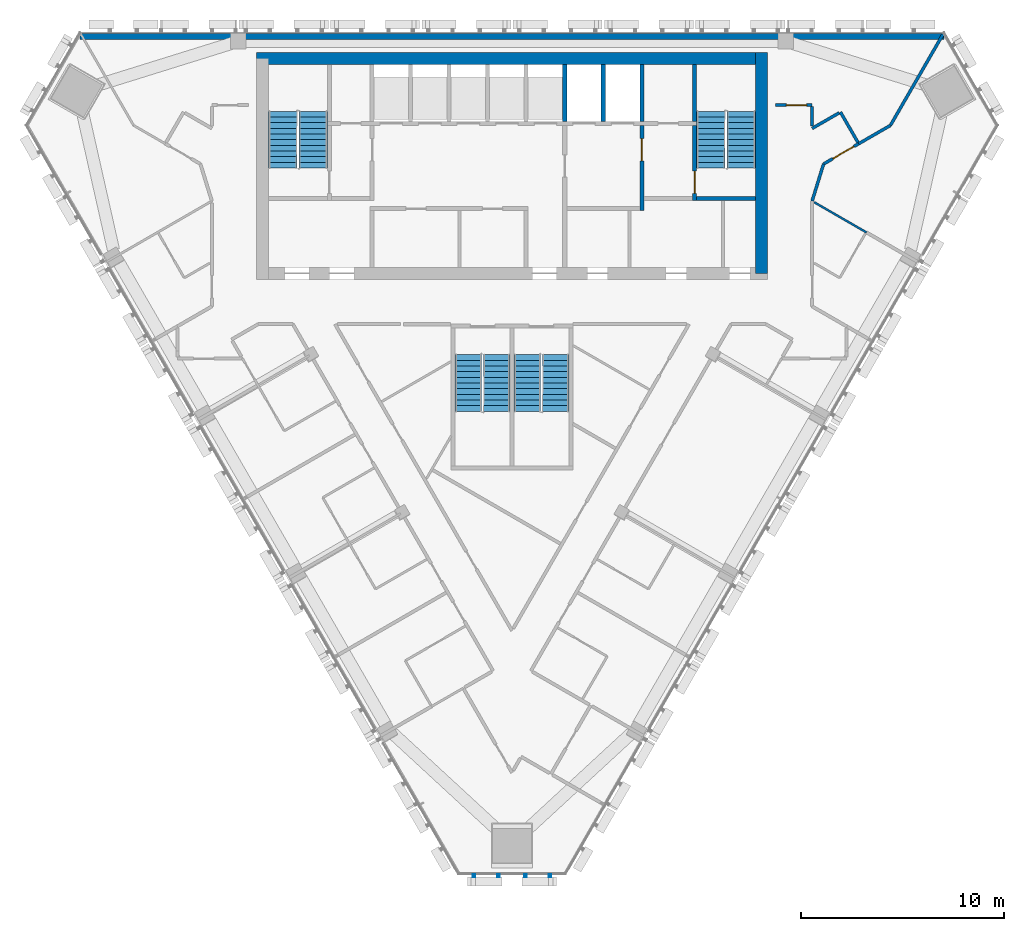
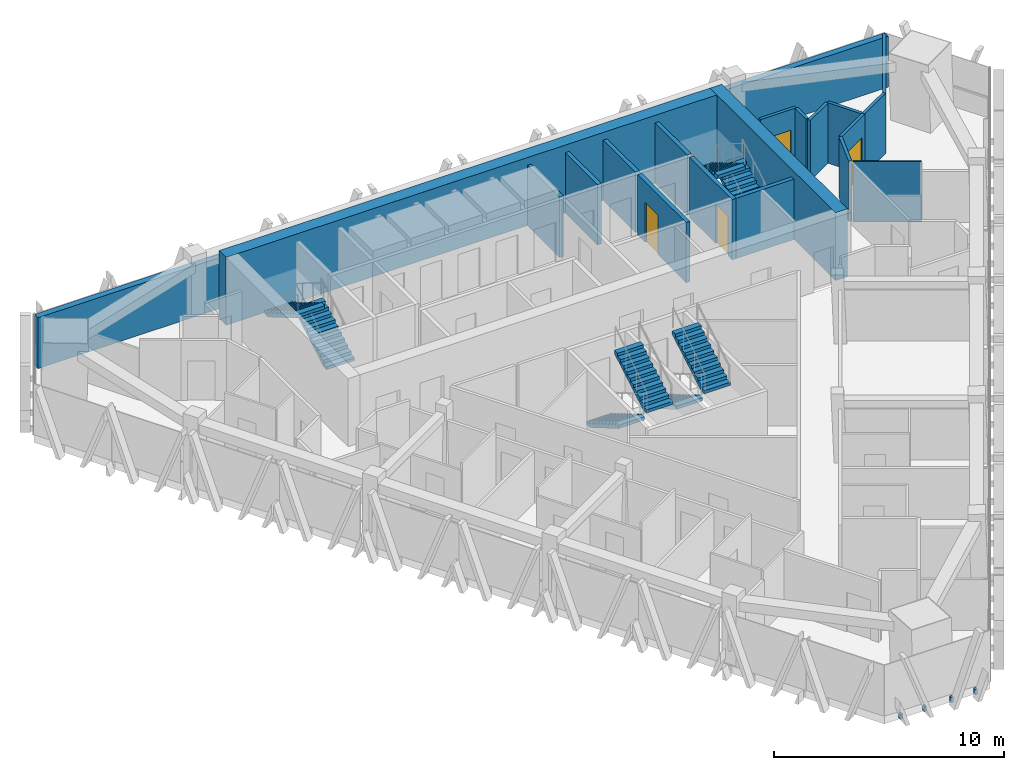
# One storey, part 11 of 15: 19 walls, 8 stair flights, 4 doors, 1 discrete accessory, 4 openings, 4 elements without a shape of their own.
"""IFC4 building model written with IfcOpenShell, lengths in metres."""

from ifc_helpers import new_model, si_unit, direction, frame, frame_2d, origin, place, context, subcontext, project, spatial, polyline, rectangle, outline, extrude, source, transform, mapped, material, layer, layer_set, type_object, element, fill, aggregate, save


model = new_model("IFC4")

# Units and contexts
model_context = context("Model", 3, precision=1e-05, world=origin(), true_north=direction((0.0, 1.0)))
body_context = subcontext(model_context, "Body", "Model", "MODEL_VIEW")
ifc_project = project(units=[si_unit("LENGTHUNIT", "METRE"), si_unit("AREAUNIT", "SQUARE_METRE"), si_unit("VOLUMEUNIT", "CUBIC_METRE"), si_unit("PLANEANGLEUNIT", "RADIAN"), si_unit("MASSUNIT", "GRAM", prefix="KILO")], contexts=[model_context])

# Site, building, storey
site_placement = place(None, origin())
site = spatial("IfcSite", under=ifc_project, at=site_placement, CompositionType="ELEMENT")
building_placement = place(site_placement, origin())
building = spatial("IfcBuilding", under=site, at=building_placement, Name="Altiplano Prism Tower", CompositionType="ELEMENT")
storey_placement = place(building_placement, frame((0.0, 0.0, 246.39990234375)))
storey = spatial("IfcBuildingStorey", under=building, at=storey_placement, Name="L63", CompositionType="ELEMENT", Elevation=246.39990234375)

# Walls
ifc_material_1 = material(Name="Concrete C60/75", Category="concrete")
ifc_layer_1 = layer(ifc_material_1, 0.60009765625)
ifc_layer_set_1 = layer_set([ifc_layer_1], Name="Concrete C60/75")
wall_type_1 = type_object("IfcWallType", Name="Core wall 600", PredefinedType="SHEAR", material=ifc_layer_set_1)
wall_1_placement = place(storey_placement, frame((97.300048828125, 93.10009765625, 0.0), z_axis=(0.0, 0.0, 1.0), x_axis=(0.0, 1.0, 0.0)))
element("IfcWall", 1, at=wall_1_placement, inside=storey, type_object=wall_type_1, Name="Core wall E L63", PredefinedType="SHEAR", context=body_context, shape_type="SweptSolid", body=[
    extrude(rectangle(XDim=10.89990234375, YDim=0.60009765625, at=frame_2d((5.449951171875, 0.0))), origin(), (0.0, 0.0, 1.0), 3.60009765625),
])
wall_2_placement = place(storey_placement, frame((97.300048828125, 103.699951171875, 0.0), z_axis=(0.0, 0.0, 1.0), x_axis=(-1.0, 0.0, 0.0)))
element("IfcWall", 2, at=wall_2_placement, inside=storey, type_object=wall_type_1, Name="Core wall N L63", PredefinedType="SHEAR", context=body_context, shape_type="SweptSolid", body=[
    extrude(rectangle(XDim=24.900146484375, YDim=0.60009765625, at=frame_2d((12.4501953125, 0.0))), origin(), (0.0, 0.0, 1.0), 3.60009765625),
])
ifc_material_2 = material(Name="Plasterboard on steel stud", Category="steel")
ifc_layer_2 = layer(ifc_material_2, 0.10009765625)
ifc_layer_set_2 = layer_set([ifc_layer_2], Name="Plasterboard on steel stud")
wall_type_2 = type_object("IfcWallType", Name="Partition 100 wet", PredefinedType="PARTITIONING", material=ifc_layer_set_2)
wall_3_placement = place(storey_placement, frame((102.48095703125, 95.125, 0.0), z_axis=(0.0, 0.0, 1.0), x_axis=(-0.866051901885, 0.499954101135, 0.0)))
element("IfcWall", 3, at=wall_3_placement, inside=storey, type_object=wall_type_2, Name="Partition P03 L63 081", PredefinedType="PARTITIONING", context=body_context, shape_type="SweptSolid", body=[
    extrude(rectangle(XDim=2.980224609375, YDim=0.10009765625, at=frame_2d((1.490234375, 0.0))), origin(), (0.0, 0.0, 1.0), 3.2001953125),
])
ifc_layer_3 = layer(ifc_material_2, 0.14990234375)
ifc_layer_set_3 = layer_set([ifc_layer_3], Name="Plasterboard on steel stud")
wall_type_3 = type_object("IfcWallType", Name="Partition 150 corridor", PredefinedType="PARTITIONING", material=ifc_layer_set_3)
wall_4_placement = place(storey_placement, frame((99.800048828125, 96.6728515625, 0.0), z_axis=(0.0, 0.0, 1.0), x_axis=(0.29539525105, 0.955375133472, 0.0)))
element("IfcWall", 4, at=wall_4_placement, inside=storey, type_object=wall_type_3, Name="Partition P06 L63 032", PredefinedType="PARTITIONING", context=body_context, shape_type="SweptSolid", body=[
    extrude(rectangle(XDim=1.91259765625, YDim=0.14990234375, at=frame_2d((0.956298828125, 0.0))), origin(), (0.0, 0.0, 1.0), 3.2001953125),
])

# Wall, opening, door
wall_5_placement = place(storey_placement, frame((100.364990234375, 98.5, 0.0), z_axis=(0.0, 0.0, 1.0), x_axis=(0.866010470582, 0.500025864173, 0.0)))
wall_5 = element("IfcWall", 5, at=wall_5_placement, inside=storey, type_object=wall_type_3, Name="Partition P06 L63 033", PredefinedType="PARTITIONING", context=body_context, shape_type="SweptSolid", body=[
    extrude(rectangle(XDim=2.02001953125, YDim=0.14990234375, at=frame_2d((1.010009765625, 0.0))), origin(), (0.0, 0.0, 1.0), 3.2001953125),
])
opening_1_placement = place(wall_5_placement, frame((0.528076171875, 0.0, 0.0)))
opening_1 = element("IfcOpeningElement", 6, at=opening_1_placement, cuts=wall_5, Name="Opening D2075", PredefinedType="OPENING", context=body_context, shape_type="SweptSolid", body=[
    extrude(rectangle(XDim=1.199951171875, YDim=2.10009765625, at=frame_2d((0.60009765625, 1.050048828125))), frame((0.0, 0.08544921875, 0.0), z_axis=(0.0, -1.0, 0.0), x_axis=(1.0, 0.0, 0.0)), (0.0, 0.0, 1.0), 0.1708984375),
])
ifc_material_3 = material(Name="Timber", Category="wood")
door_type_1 = type_object("IfcDoorType", Name="Shared room door 1200 x 2100", OperationType="NOTDEFINED", PredefinedType="NOTDEFINED", material=ifc_material_3)
door_1_placement = place(opening_1_placement, origin())
door_1 = element("IfcDoor", 7, at=door_1_placement, inside=storey, type_object=door_type_1, Name="Door D2075", OperationType="SINGLE_SWING_LEFT", OverallHeight=2.10009765625, OverallWidth=1.199951171875, PredefinedType="NOTDEFINED", context=body_context, shape_type="SweptSolid", body=[
    extrude(rectangle(XDim=1.199951171875, YDim=2.10009765625, at=frame_2d((0.60009765625, 1.050048828125))), frame((0.0, 0.02490234375, 0.0), z_axis=(0.0, -1.0, 0.0), x_axis=(1.0, 0.0, 0.0)), (0.0, 0.0, 1.0), 0.050048828125),
])
fill(opening_1, door_1)

# Walls
wall_6_placement = place(storey_placement, frame((102.059326171875, 99.56494140625, 0.0), z_axis=(0.0, 0.0, 1.0), x_axis=(-0.499914405916, 0.866074815912, 0.0)))
element("IfcWall", 8, at=wall_6_placement, inside=storey, type_object=wall_type_3, Name="Partition P06 L63 038", PredefinedType="PARTITIONING", context=body_context, shape_type="SweptSolid", body=[
    extrude(rectangle(XDim=1.724853515625, YDim=0.14990234375, at=frame_2d((0.8623046875, 0.0))), origin(), (0.0, 0.0, 1.0), 3.2001953125),
])
wall_7_placement = place(storey_placement, frame((101.132080078125, 101.021240234375, 0.0), z_axis=(0.0, 0.0, 1.0), x_axis=(-0.866026989333, -0.499997253739, 0.0)))
element("IfcWall", 9, at=wall_7_placement, inside=storey, type_object=wall_type_3, Name="Partition P06 L63 039", PredefinedType="PARTITIONING", context=body_context, shape_type="SweptSolid", body=[
    extrude(rectangle(XDim=1.5380859375, YDim=0.14990234375, at=frame_2d((0.76904296875, 0.0))), origin(), (0.0, 0.0, 1.0), 3.2001953125),
])
wall_8_placement = place(storey_placement, frame((99.800048828125, 100.38232421875, 0.0), z_axis=(0.0, 0.0, 1.0), x_axis=(0.0, 1.0, 0.0)))
element("IfcWall", 10, at=wall_8_placement, inside=storey, type_object=wall_type_3, Name="Partition P06 L63 040", PredefinedType="PARTITIONING", context=body_context, shape_type="SweptSolid", body=[
    extrude(rectangle(XDim=0.942626953125, YDim=0.14990234375, at=frame_2d((0.47119140625, 0.0))), origin(), (0.0, 0.0, 1.0), 3.2001953125),
])

# Wall, opening, door
wall_9_placement = place(storey_placement, frame((99.800048828125, 101.39990234375, 0.0), z_axis=(0.0, 0.0, 1.0), x_axis=(-1.0, 0.0, 0.0)))
wall_9 = element("IfcWall", 11, at=wall_9_placement, inside=storey, type_object=wall_type_3, Name="Partition P06 L63 041", PredefinedType="PARTITIONING", context=body_context, shape_type="SweptSolid", body=[
    extrude(rectangle(XDim=1.800048828125, YDim=0.14990234375, at=frame_2d((0.89990234375, 0.0))), origin(), (0.0, 0.0, 1.0), 3.2001953125),
])
opening_2_placement = place(wall_9_placement, frame((0.27490234375, 0.0, 0.0)))
opening_2 = element("IfcOpeningElement", 12, at=opening_2_placement, cuts=wall_9, Name="Opening D2077", PredefinedType="OPENING", context=body_context, shape_type="SweptSolid", body=[
    extrude(rectangle(XDim=1.0, YDim=2.10009765625, at=frame_2d((0.5, 1.050048828125))), frame((0.0, 0.08544921875, 0.0), z_axis=(0.0, -1.0, 0.0), x_axis=(1.0, 0.0, 0.0)), (0.0, 0.0, 1.0), 0.1708984375),
])
door_type_2 = type_object("IfcDoorType", Name="Room door 1000 x 2100", OperationType="NOTDEFINED", PredefinedType="NOTDEFINED", material=ifc_material_3)
door_2_placement = place(opening_2_placement, origin())
door_2 = element("IfcDoor", 13, at=door_2_placement, inside=storey, type_object=door_type_2, Name="Door D2077", OperationType="SINGLE_SWING_LEFT", OverallHeight=2.10009765625, OverallWidth=1.0, PredefinedType="NOTDEFINED", context=body_context, shape_type="SweptSolid", body=[
    extrude(rectangle(XDim=1.0, YDim=2.10009765625, at=frame_2d((0.5, 1.050048828125))), frame((0.0, 0.02490234375, 0.0), z_axis=(0.0, -1.0, 0.0), x_axis=(1.0, 0.0, 0.0)), (0.0, 0.0, 1.0), 0.050048828125),
])
fill(opening_2, door_2)

# Walls
ifc_layer_4 = layer(ifc_material_2, 0.14990234375)
ifc_layer_set_4 = layer_set([ifc_layer_4], Name="Plasterboard on steel stud")
wall_type_4 = type_object("IfcWallType", Name="Partition 150 party", PredefinedType="PARTITIONING", material=ifc_layer_set_4)
wall_10_placement = place(storey_placement, frame((106.25634765625, 104.89990234375, 0.0), z_axis=(0.0, 0.0, 1.0), x_axis=(-0.499981525251, -0.866036069923, 0.0)))
element("IfcWall", 14, at=wall_10_placement, inside=storey, type_object=wall_type_4, Name="Partition P01 L63 082", PredefinedType="PARTITIONING", context=body_context, shape_type="SweptSolid", body=[
    extrude(rectangle(XDim=5.193603515625, YDim=0.14990234375, at=frame_2d((2.5966796875, 0.0))), origin(), (0.0, 0.0, 1.0), 2.7001953125),
])
wall_11_placement = place(storey_placement, frame((103.65966796875, 100.402099609375, 0.0), z_axis=(0.0, 0.0, 1.0), x_axis=(-0.866061671171, -0.499937177781, 0.0)))
element("IfcWall", 15, at=wall_11_placement, inside=storey, type_object=wall_type_4, Name="Partition P01 L63 083", PredefinedType="PARTITIONING", context=body_context, shape_type="SweptSolid", body=[
    extrude(rectangle(XDim=1.804443359375, YDim=0.14990234375, at=frame_2d((0.90234375, 0.0))), origin(), (0.0, 0.0, 1.0), 3.2001953125),
])
ifc_layer_5 = layer(ifc_material_1, 0.199951171875)
ifc_layer_set_5 = layer_set([ifc_layer_5], Name="Concrete C60/75")
wall_type_5 = type_object("IfcWallType", Name="Shaft wall 200", PredefinedType="SOLIDWALL", material=ifc_layer_set_5)
for number, where, z_axis, x_axis, name in (
    (16, (87.60009765625, 100.60009765625, 0.0), (0.0, 0.0, 1.0), (0.0, 1.0, 0.0), "Shaft wall L63"),
    (17, (89.5, 100.60009765625, 0.0), (0.0, 0.0, 1.0), (0.0, 1.0, 0.0), "Shaft wall L63"),
    (18, (91.39990234375, 100.60009765625, 0.0), (0.0, 0.0, 1.0), (0.0, 1.0, 0.0), "Shaft wall L63"),
):
    element("IfcWall", number, at=place(storey_placement, frame(where, z_axis=z_axis, x_axis=x_axis)), inside=storey, type_object=wall_type_5, Name=name, PredefinedType="SOLIDWALL", context=body_context, shape_type="SweptSolid", body=[
        extrude(rectangle(XDim=2.7998046875, YDim=0.199951171875, at=frame_2d((1.39990234375, 0.0))), origin(), (0.0, 0.0, 1.0), 3.2001953125),
    ])

# Wall, opening, door
ifc_layer_6 = layer(ifc_material_1, 0.199951171875)
ifc_layer_set_6 = layer_set([ifc_layer_6], Name="Concrete C60/75")
wall_type_6 = type_object("IfcWallType", Name="Stair wall 200", PredefinedType="SOLIDWALL", material=ifc_layer_set_6)
wall_12_placement = place(storey_placement, frame((94.0, 96.699951171875, 0.0), z_axis=(0.0, 0.0, 1.0), x_axis=(0.0, 1.0, 0.0)))
wall_12 = element("IfcWall", 19, at=wall_12_placement, inside=storey, type_object=wall_type_6, Name="Stair wall L63", PredefinedType="SOLIDWALL", context=body_context, shape_type="SweptSolid", body=[
    extrude(rectangle(XDim=3.699951171875, YDim=0.199951171875, at=frame_2d((1.85009765625, 0.0))), origin(), (0.0, 0.0, 1.0), 3.2001953125),
])
opening_3_placement = place(wall_12_placement, frame((0.35009765625, 0.0, 0.0)))
opening_3 = element("IfcOpeningElement", 20, at=opening_3_placement, cuts=wall_12, Name="Opening D3458", PredefinedType="OPENING", context=body_context, shape_type="SweptSolid", body=[
    extrude(rectangle(XDim=1.10009765625, YDim=2.10009765625, at=frame_2d((0.550048828125, 1.050048828125))), frame((0.0, 0.1103515625, 0.0), z_axis=(0.0, -1.0, 0.0), x_axis=(1.0, 0.0, 0.0)), (0.0, 0.0, 1.0), 0.220947265625),
])
ifc_material_4 = material(Name="Fire-rated steel door", Category="steel")
door_type_3 = type_object("IfcDoorType", Name="Stair fire door 1100 x 2100", OperationType="NOTDEFINED", PredefinedType="NOTDEFINED", material=ifc_material_4)
door_3_placement = place(opening_3_placement, origin())
door_3 = element("IfcDoor", 21, at=door_3_placement, inside=storey, type_object=door_type_3, Name="Stair fire door D3458", OperationType="SINGLE_SWING_LEFT", OverallHeight=2.10009765625, OverallWidth=1.10009765625, PredefinedType="NOTDEFINED", context=body_context, shape_type="SweptSolid", body=[
    extrude(rectangle(XDim=1.10009765625, YDim=2.10009765625, at=frame_2d((0.550048828125, 1.050048828125))), frame((0.0, 0.02490234375, 0.0), z_axis=(0.0, -1.0, 0.0), x_axis=(1.0, 0.0, 0.0)), (0.0, 0.0, 1.0), 0.050048828125),
])
fill(opening_3, door_3)

# Walls
wall_13_placement = place(storey_placement, frame((94.10009765625, 96.800048828125, 0.0), z_axis=(0.0, 0.0, 1.0), x_axis=(1.0, 0.0, 0.0)))
element("IfcWall", 22, at=wall_13_placement, inside=storey, type_object=wall_type_6, Name="Stair wall L63", PredefinedType="SOLIDWALL", context=body_context, shape_type="SweptSolid", body=[
    extrude(rectangle(XDim=2.89990234375, YDim=0.199951171875, at=frame_2d((1.449951171875, 0.0))), origin(), (0.0, 0.0, 1.0), 3.2001953125),
])
wall_14_placement = place(storey_placement, frame((94.0, 100.60009765625, 0.0), z_axis=(0.0, 0.0, 1.0), x_axis=(0.0, 1.0, 0.0)))
element("IfcWall", 23, at=wall_14_placement, inside=storey, type_object=wall_type_6, Name="Stair wall L63", PredefinedType="SOLIDWALL", context=body_context, shape_type="SweptSolid", body=[
    extrude(rectangle(XDim=2.7998046875, YDim=0.199951171875, at=frame_2d((1.39990234375, 0.0))), origin(), (0.0, 0.0, 1.0), 3.2001953125),
])
ifc_material_5 = material(Name="Concrete C40", Category="concrete")
ifc_layer_7 = layer(ifc_material_5, 0.300048828125)
ifc_layer_set_7 = layer_set([ifc_layer_7], Name="Concrete C40")
wall_type_7 = type_object("IfcWallType", Name="Stone-clad external wall 300", PredefinedType="SOLIDWALL", material=ifc_layer_set_7)
wall_15_placement = place(storey_placement, frame((63.685791015625, 104.7900390625, 0.0), z_axis=(0.0, 0.0, 1.0), x_axis=(1.0, 0.0, 0.0)))
element("IfcWall", 24, at=wall_15_placement, inside=storey, type_object=wall_type_7, Name="External wall north face L63", PredefinedType="SOLIDWALL", context=body_context, shape_type="SweptSolid", body=[
    extrude(rectangle(XDim=42.62841796875, YDim=0.300048828125, at=frame_2d((21.314208984375, 0.0))), origin(), (0.0, 0.0, 1.0), 2.7001953125),
])

# Wall, opening, door
ifc_layer_8 = layer(ifc_material_1, 0.199951171875)
ifc_layer_set_8 = layer_set([ifc_layer_8], Name="Concrete C60/75")
wall_type_8 = type_object("IfcWallType", Name="Vestibule wall 200", PredefinedType="PARTITIONING", material=ifc_layer_set_8)
wall_16_placement = place(storey_placement, frame((91.39990234375, 96.199951171875, 0.0), z_axis=(0.0, 0.0, 1.0), x_axis=(0.0, 1.0, 0.0)))
wall_16 = element("IfcWall", 25, at=wall_16_placement, inside=storey, type_object=wall_type_8, Name="Vestibule wall L63", PredefinedType="PARTITIONING", context=body_context, shape_type="SweptSolid", body=[
    extrude(rectangle(XDim=4.199951171875, YDim=0.199951171875, at=frame_2d((2.10009765625, 0.0))), origin(), (0.0, 0.0, 1.0), 3.2001953125),
])
opening_4_placement = place(wall_16_placement, frame((2.449951171875, 0.0, 0.0)))
opening_4 = element("IfcOpeningElement", 26, at=opening_4_placement, cuts=wall_16, Name="Opening D3461", PredefinedType="OPENING", context=body_context, shape_type="SweptSolid", body=[
    extrude(rectangle(XDim=1.10009765625, YDim=2.10009765625, at=frame_2d((0.550048828125, 1.050048828125))), frame((0.0, 0.1103515625, 0.0), z_axis=(0.0, -1.0, 0.0), x_axis=(1.0, 0.0, 0.0)), (0.0, 0.0, 1.0), 0.220947265625),
])
door_type_4 = type_object("IfcDoorType", Name="Vestibule fire door 1100 x 2100", OperationType="NOTDEFINED", PredefinedType="NOTDEFINED", material=ifc_material_4)
door_4_placement = place(opening_4_placement, origin())
door_4 = element("IfcDoor", 27, at=door_4_placement, inside=storey, type_object=door_type_4, Name="Vestibule fire door D3461", OperationType="SINGLE_SWING_LEFT", OverallHeight=2.10009765625, OverallWidth=1.10009765625, PredefinedType="NOTDEFINED", context=body_context, shape_type="SweptSolid", body=[
    extrude(rectangle(XDim=1.10009765625, YDim=2.10009765625, at=frame_2d((0.550048828125, 1.050048828125))), frame((0.0, 0.02490234375, 0.0), z_axis=(0.0, -1.0, 0.0), x_axis=(1.0, 0.0, 0.0)), (0.0, 0.0, 1.0), 0.050048828125),
])
fill(opening_4, door_4)

# Stair, stair flights
ifc_material_6 = material(Name="Concrete C40/50", Category="concrete")
stair_type_1 = type_object("IfcStairType", Name="Exit stair 1400", PredefinedType="HALF_TURN_STAIR", material=ifc_material_6)
stair_1_placement = place(storey_placement, origin())
stair_1 = element("IfcStair", 28, at=stair_1_placement, inside=storey, type_object=stair_type_1, Name="L63 Exit Stair 1", PredefinedType="HALF_TURN_STAIR")
stair_flight_type = type_object("IfcStairFlightType", Name="Stair flight concrete 150", PredefinedType="STRAIGHT", material=ifc_material_6)
stair_flight_1_placement = place(storey_placement, frame((75.199951171875, 98.300048828125, 0.0), z_axis=(0.0, 0.0, 1.0), x_axis=(0.0, 1.0, 0.0)))
stair_flight_1 = element("IfcStairFlight", 29, at=stair_flight_1_placement, type_object=stair_flight_type, Name="ST1 flight 1", NumberOfRisers=11, NumberOfTreads=10, PredefinedType="STRAIGHT", RiserHeight=0.163636364, TreadLength=0.28, context=body_context, shape_type="SweptSolid", body=[
    extrude(outline(polyline([(0.0, 0.0), (0.0, 0.16357421875), (0.280029296875, 0.16357421875), (0.280029296875, 0.327392578125), (0.56005859375, 0.327392578125), (0.56005859375, 0.490966796875), (0.840087890625, 0.490966796875), (0.840087890625, 0.654541015625), (1.1201171875, 0.654541015625), (1.1201171875, 0.818115234375), (1.39990234375, 0.818115234375), (1.39990234375, 0.98193359375), (1.679931640625, 0.98193359375), (1.679931640625, 1.1455078125), (1.9599609375, 1.1455078125), (1.9599609375, 1.30908203125), (2.239990234375, 1.30908203125), (2.239990234375, 1.47265625), (2.52001953125, 1.47265625), (2.52001953125, 1.636474609375), (2.800048828125, 1.636474609375), (2.800048828125, 1.800048828125), (2.800048828125, 1.462646484375), (0.297119140625, 0.0), (0.0, 0.0)])), frame((0.0, 0.699951171875, 0.0), z_axis=(0.0, -1.0, 0.0), x_axis=(1.0, 0.0, 0.0)), (0.0, 0.0, 1.0), 1.39990234375),
])
stair_flight_2_placement = place(storey_placement, frame((73.699951171875, 101.10009765625, 1.800048828125), z_axis=(0.0, 0.0, 1.0), x_axis=(0.0, -1.0, 0.0)))
stair_flight_2 = element("IfcStairFlight", 30, at=stair_flight_2_placement, type_object=stair_flight_type, Name="ST1 flight 2", NumberOfRisers=11, NumberOfTreads=10, PredefinedType="STRAIGHT", RiserHeight=0.163636364, TreadLength=0.28, context=body_context, shape_type="SweptSolid", body=[
    extrude(outline(polyline([(0.0, 0.0), (0.0, 0.16357421875), (0.280029296875, 0.16357421875), (0.280029296875, 0.327392578125), (0.56005859375, 0.327392578125), (0.56005859375, 0.490966796875), (0.840087890625, 0.490966796875), (0.840087890625, 0.654541015625), (1.1201171875, 0.654541015625), (1.1201171875, 0.818115234375), (1.39990234375, 0.818115234375), (1.39990234375, 0.98193359375), (1.679931640625, 0.98193359375), (1.679931640625, 1.1455078125), (1.9599609375, 1.1455078125), (1.9599609375, 1.30908203125), (2.239990234375, 1.30908203125), (2.239990234375, 1.47265625), (2.52001953125, 1.47265625), (2.52001953125, 1.636474609375), (2.800048828125, 1.636474609375), (2.800048828125, 1.800048828125), (2.800048828125, 1.462646484375), (0.297119140625, 0.0), (0.0, 0.0)])), frame((0.0, 0.699951171875, 0.0), z_axis=(0.0, -1.0, 0.0), x_axis=(1.0, 0.0, 0.0)), (0.0, 0.0, 1.0), 1.39990234375),
])
aggregate(stair_1, [stair_flight_1, stair_flight_2])

stair_2_placement = place(storey_placement, origin())
stair_2 = element("IfcStair", 31, at=stair_2_placement, inside=storey, type_object=stair_type_1, Name="L63 Exit Stair 2", PredefinedType="HALF_TURN_STAIR")
stair_flight_3_placement = place(storey_placement, frame((96.300048828125, 98.300048828125, 0.0), z_axis=(0.0, 0.0, 1.0), x_axis=(0.0, 1.0, 0.0)))
stair_flight_3 = element("IfcStairFlight", 32, at=stair_flight_3_placement, type_object=stair_flight_type, Name="ST2 flight 1", NumberOfRisers=11, NumberOfTreads=10, PredefinedType="STRAIGHT", RiserHeight=0.163636364, TreadLength=0.28, context=body_context, shape_type="SweptSolid", body=[
    extrude(outline(polyline([(0.0, 0.0), (0.0, 0.16357421875), (0.280029296875, 0.16357421875), (0.280029296875, 0.327392578125), (0.56005859375, 0.327392578125), (0.56005859375, 0.490966796875), (0.840087890625, 0.490966796875), (0.840087890625, 0.654541015625), (1.1201171875, 0.654541015625), (1.1201171875, 0.818115234375), (1.39990234375, 0.818115234375), (1.39990234375, 0.98193359375), (1.679931640625, 0.98193359375), (1.679931640625, 1.1455078125), (1.9599609375, 1.1455078125), (1.9599609375, 1.30908203125), (2.239990234375, 1.30908203125), (2.239990234375, 1.47265625), (2.52001953125, 1.47265625), (2.52001953125, 1.636474609375), (2.800048828125, 1.636474609375), (2.800048828125, 1.800048828125), (2.800048828125, 1.462646484375), (0.297119140625, 0.0), (0.0, 0.0)])), frame((0.0, 0.699951171875, 0.0), z_axis=(0.0, -1.0, 0.0), x_axis=(1.0, 0.0, 0.0)), (0.0, 0.0, 1.0), 1.39990234375),
])
stair_flight_4_placement = place(storey_placement, frame((94.800048828125, 101.10009765625, 1.800048828125), z_axis=(0.0, 0.0, 1.0), x_axis=(0.0, -1.0, 0.0)))
stair_flight_4 = element("IfcStairFlight", 33, at=stair_flight_4_placement, type_object=stair_flight_type, Name="ST2 flight 2", NumberOfRisers=11, NumberOfTreads=10, PredefinedType="STRAIGHT", RiserHeight=0.163636364, TreadLength=0.28, context=body_context, shape_type="SweptSolid", body=[
    extrude(outline(polyline([(0.0, 0.0), (0.0, 0.16357421875), (0.280029296875, 0.16357421875), (0.280029296875, 0.327392578125), (0.56005859375, 0.327392578125), (0.56005859375, 0.490966796875), (0.840087890625, 0.490966796875), (0.840087890625, 0.654541015625), (1.1201171875, 0.654541015625), (1.1201171875, 0.818115234375), (1.39990234375, 0.818115234375), (1.39990234375, 0.98193359375), (1.679931640625, 0.98193359375), (1.679931640625, 1.1455078125), (1.9599609375, 1.1455078125), (1.9599609375, 1.30908203125), (2.239990234375, 1.30908203125), (2.239990234375, 1.47265625), (2.52001953125, 1.47265625), (2.52001953125, 1.636474609375), (2.800048828125, 1.636474609375), (2.800048828125, 1.800048828125), (2.800048828125, 1.462646484375), (0.297119140625, 0.0), (0.0, 0.0)])), frame((0.0, 0.699951171875, 0.0), z_axis=(0.0, -1.0, 0.0), x_axis=(1.0, 0.0, 0.0)), (0.0, 0.0, 1.0), 1.39990234375),
])
aggregate(stair_2, [stair_flight_3, stair_flight_4])

stair_type_2 = type_object("IfcStairType", Name="Exit stair 1300", PredefinedType="HALF_TURN_STAIR", material=ifc_material_6)
stair_3_placement = place(storey_placement, origin())
stair_3 = element("IfcStair", 34, at=stair_3_placement, inside=storey, type_object=stair_type_2, Name="L63 Exit Stair 3A", PredefinedType="HALF_TURN_STAIR")
stair_flight_5_placement = place(storey_placement, frame((82.85009765625, 89.10009765625, 0.0), z_axis=(0.0, 0.0, 1.0), x_axis=(0.0, -1.0, 0.0)))
stair_flight_5 = element("IfcStairFlight", 35, at=stair_flight_5_placement, type_object=stair_flight_type, Name="ST3A flight 1", NumberOfRisers=11, NumberOfTreads=10, PredefinedType="STRAIGHT", RiserHeight=0.163636364, TreadLength=0.28, context=body_context, shape_type="SweptSolid", body=[
    extrude(outline(polyline([(0.0, 0.0), (0.0, 0.16357421875), (0.280029296875, 0.16357421875), (0.280029296875, 0.327392578125), (0.56005859375, 0.327392578125), (0.56005859375, 0.490966796875), (0.840087890625, 0.490966796875), (0.840087890625, 0.654541015625), (1.1201171875, 0.654541015625), (1.1201171875, 0.818115234375), (1.39990234375, 0.818115234375), (1.39990234375, 0.98193359375), (1.679931640625, 0.98193359375), (1.679931640625, 1.1455078125), (1.9599609375, 1.1455078125), (1.9599609375, 1.30908203125), (2.239990234375, 1.30908203125), (2.239990234375, 1.47265625), (2.52001953125, 1.47265625), (2.52001953125, 1.636474609375), (2.800048828125, 1.636474609375), (2.800048828125, 1.800048828125), (2.800048828125, 1.462646484375), (0.297119140625, 0.0), (0.0, 0.0)])), frame((0.0, 0.64990234375, 0.0), z_axis=(0.0, -1.0, 0.0), x_axis=(1.0, 0.0, 0.0)), (0.0, 0.0, 1.0), 1.300048828125),
])
stair_flight_6_placement = place(storey_placement, frame((84.25, 86.300048828125, 1.800048828125), z_axis=(0.0, 0.0, 1.0), x_axis=(0.0, 1.0, 0.0)))
stair_flight_6 = element("IfcStairFlight", 36, at=stair_flight_6_placement, type_object=stair_flight_type, Name="ST3A flight 2", NumberOfRisers=11, NumberOfTreads=10, PredefinedType="STRAIGHT", RiserHeight=0.163636364, TreadLength=0.28, context=body_context, shape_type="SweptSolid", body=[
    extrude(outline(polyline([(0.0, 0.0), (0.0, 0.16357421875), (0.280029296875, 0.16357421875), (0.280029296875, 0.327392578125), (0.56005859375, 0.327392578125), (0.56005859375, 0.490966796875), (0.840087890625, 0.490966796875), (0.840087890625, 0.654541015625), (1.1201171875, 0.654541015625), (1.1201171875, 0.818115234375), (1.39990234375, 0.818115234375), (1.39990234375, 0.98193359375), (1.679931640625, 0.98193359375), (1.679931640625, 1.1455078125), (1.9599609375, 1.1455078125), (1.9599609375, 1.30908203125), (2.239990234375, 1.30908203125), (2.239990234375, 1.47265625), (2.52001953125, 1.47265625), (2.52001953125, 1.636474609375), (2.800048828125, 1.636474609375), (2.800048828125, 1.800048828125), (2.800048828125, 1.462646484375), (0.297119140625, 0.0), (0.0, 0.0)])), frame((0.0, 0.64990234375, 0.0), z_axis=(0.0, -1.0, 0.0), x_axis=(1.0, 0.0, 0.0)), (0.0, 0.0, 1.0), 1.300048828125),
])
aggregate(stair_3, [stair_flight_5, stair_flight_6])

stair_4_placement = place(storey_placement, origin())
stair_4 = element("IfcStair", 37, at=stair_4_placement, inside=storey, type_object=stair_type_2, Name="L63 Exit Stair 3B", PredefinedType="HALF_TURN_STAIR")
stair_flight_7_placement = place(storey_placement, frame((85.75, 89.10009765625, 0.0), z_axis=(0.0, 0.0, 1.0), x_axis=(0.0, -1.0, 0.0)))
stair_flight_7 = element("IfcStairFlight", 38, at=stair_flight_7_placement, type_object=stair_flight_type, Name="ST3B flight 1", NumberOfRisers=11, NumberOfTreads=10, PredefinedType="STRAIGHT", RiserHeight=0.163636364, TreadLength=0.28, context=body_context, shape_type="SweptSolid", body=[
    extrude(outline(polyline([(0.0, 0.0), (0.0, 0.16357421875), (0.280029296875, 0.16357421875), (0.280029296875, 0.327392578125), (0.56005859375, 0.327392578125), (0.56005859375, 0.490966796875), (0.840087890625, 0.490966796875), (0.840087890625, 0.654541015625), (1.1201171875, 0.654541015625), (1.1201171875, 0.818115234375), (1.39990234375, 0.818115234375), (1.39990234375, 0.98193359375), (1.679931640625, 0.98193359375), (1.679931640625, 1.1455078125), (1.9599609375, 1.1455078125), (1.9599609375, 1.30908203125), (2.239990234375, 1.30908203125), (2.239990234375, 1.47265625), (2.52001953125, 1.47265625), (2.52001953125, 1.636474609375), (2.800048828125, 1.636474609375), (2.800048828125, 1.800048828125), (2.800048828125, 1.462646484375), (0.297119140625, 0.0), (0.0, 0.0)])), frame((0.0, 0.64990234375, 0.0), z_axis=(0.0, -1.0, 0.0), x_axis=(1.0, 0.0, 0.0)), (0.0, 0.0, 1.0), 1.300048828125),
])
stair_flight_8_placement = place(storey_placement, frame((87.14990234375, 86.300048828125, 1.800048828125), z_axis=(0.0, 0.0, 1.0), x_axis=(0.0, 1.0, 0.0)))
stair_flight_8 = element("IfcStairFlight", 39, at=stair_flight_8_placement, type_object=stair_flight_type, Name="ST3B flight 2", NumberOfRisers=11, NumberOfTreads=10, PredefinedType="STRAIGHT", RiserHeight=0.163636364, TreadLength=0.28, context=body_context, shape_type="SweptSolid", body=[
    extrude(outline(polyline([(0.0, 0.0), (0.0, 0.16357421875), (0.280029296875, 0.16357421875), (0.280029296875, 0.327392578125), (0.56005859375, 0.327392578125), (0.56005859375, 0.490966796875), (0.840087890625, 0.490966796875), (0.840087890625, 0.654541015625), (1.1201171875, 0.654541015625), (1.1201171875, 0.818115234375), (1.39990234375, 0.818115234375), (1.39990234375, 0.98193359375), (1.679931640625, 0.98193359375), (1.679931640625, 1.1455078125), (1.9599609375, 1.1455078125), (1.9599609375, 1.30908203125), (2.239990234375, 1.30908203125), (2.239990234375, 1.47265625), (2.52001953125, 1.47265625), (2.52001953125, 1.636474609375), (2.800048828125, 1.636474609375), (2.800048828125, 1.800048828125), (2.800048828125, 1.462646484375), (0.297119140625, 0.0), (0.0, 0.0)])), frame((0.0, 0.64990234375, 0.0), z_axis=(0.0, -1.0, 0.0), x_axis=(1.0, 0.0, 0.0)), (0.0, 0.0, 1.0), 1.300048828125),
])
aggregate(stair_4, [stair_flight_7, stair_flight_8])

# Discrete accessory
ifc_material_7 = material(Name="Stainless steel", Category="steel")
discrete_accessory_type = type_object("IfcDiscreteAccessoryType", Name="Stone fin fixing prongs", PredefinedType="USERDEFINED", material=ifc_material_7)
shared_shape = source(origin(), body_context, "Body", "SweptSolid", [
    extrude(outline(polyline([(-1.932861328125, 0.06005859375), (-1.812744140625, 0.06005859375), (-1.812744140625, 0.340087890625), (-1.932861328125, 0.340087890625), (-1.932861328125, 0.06005859375)])), frame((0.0, 0.0, 0.0), z_axis=(0.0, -1.0, 0.0), x_axis=(1.0, 0.0, 0.0)), (0.0, 0.0, 1.0), 0.14990234375),
    extrude(outline(polyline([(-0.73291015625, 0.06005859375), (-0.61279296875, 0.06005859375), (-0.61279296875, 0.340087890625), (-0.73291015625, 0.340087890625), (-0.73291015625, 0.06005859375)])), frame((0.0, 0.0, 0.0), z_axis=(0.0, -1.0, 0.0), x_axis=(1.0, 0.0, 0.0)), (0.0, 0.0, 1.0), 0.14990234375),
    extrude(outline(polyline([(0.61279296875, 0.06005859375), (0.73291015625, 0.06005859375), (0.73291015625, 0.340087890625), (0.61279296875, 0.340087890625), (0.61279296875, 0.06005859375)])), frame((0.0, 0.0, 0.0), z_axis=(0.0, -1.0, 0.0), x_axis=(1.0, 0.0, 0.0)), (0.0, 0.0, 1.0), 0.14990234375),
    extrude(outline(polyline([(1.812744140625, 0.06005859375), (1.932861328125, 0.06005859375), (1.932861328125, 0.340087890625), (1.812744140625, 0.340087890625), (1.812744140625, 0.06005859375)])), frame((0.0, 0.0, 0.0), z_axis=(0.0, -1.0, 0.0), x_axis=(1.0, 0.0, 0.0)), (0.0, 0.0, 1.0), 0.14990234375),
])
discrete_accessory_placement = place(storey_placement, origin())
element("IfcDiscreteAccessory", 40, at=discrete_accessory_placement, inside=storey, type_object=discrete_accessory_type, Name="Fin fixings L63 south chamfer", ObjectType="BRACKET", PredefinedType="USERDEFINED", context=body_context, shape_type="MappedRepresentation", body=[
    mapped(shared_shape, transform((85.0, 63.485107421875, -0.39990234375), x_axis=(1.0, 0.0, 0.0), y_axis=(0.0, 1.0, 0.0), z_axis=(0.0, 0.0, 1.0))),
])

save(model, "model.ifc")
